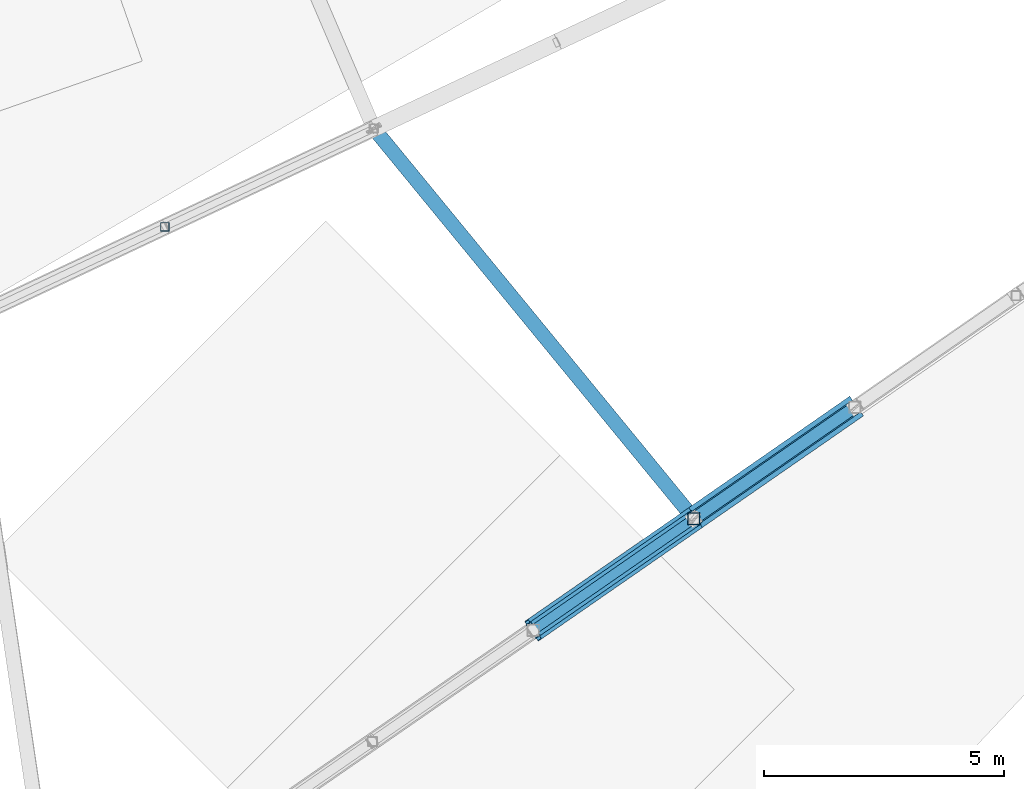
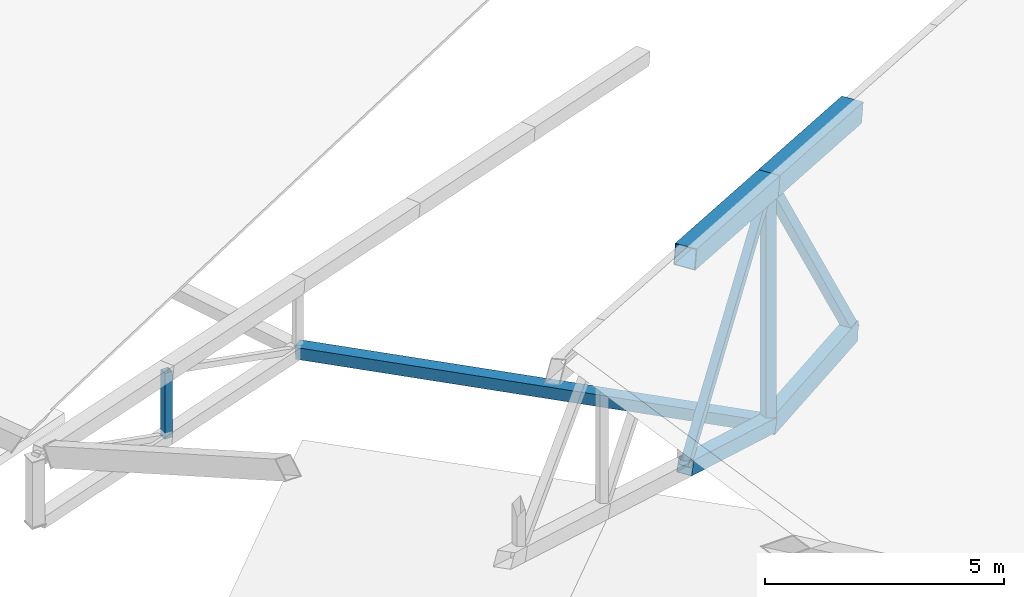
# One storey, part 3 of 188: 9 members.
"""IFC4 building model written with IfcOpenShell, lengths in metres."""

from ifc_helpers import new_model, si_unit, direction, frame, origin, origin_2d, place, context, subcontext, project, spatial, hollow_rectangle, extrude, material, material_profile, profile_set, type_object, element, save


model = new_model("IFC4")

# Units and contexts
model_context = context("Model", 3, precision=1e-05, world=origin(), true_north=direction((0.0, 1.0)))
body_context = subcontext(model_context, "Body", "Model", "MODEL_VIEW")
ifc_project = project(units=[si_unit("LENGTHUNIT", "METRE"), si_unit("AREAUNIT", "SQUARE_METRE"), si_unit("VOLUMEUNIT", "CUBIC_METRE"), si_unit("PLANEANGLEUNIT", "RADIAN"), si_unit("MASSUNIT", "GRAM", prefix="KILO")], contexts=[model_context])

# Site, building, storey
site_placement = place(None, origin())
site = spatial("IfcSite", under=ifc_project, at=site_placement, CompositionType="ELEMENT")
building_placement = place(site_placement, origin())
building = spatial("IfcBuilding", under=site, at=building_placement, Name="Meseta Stadium", CompositionType="ELEMENT")
storey_placement = place(building_placement, frame((0.0, 0.0, 30.0)))
storey = spatial("IfcBuildingStorey", under=building, at=storey_placement, Name="ROOF", CompositionType="ELEMENT", Elevation=30.0)

# Members
ifc_material_1 = material(Name="Steel S355", Category="steel")
ifc_material_profile_1 = material_profile(ifc_material_1, hollow_rectangle(XDim=0.300048828125, YDim=0.5, WallThickness=0.01611328125, at=origin_2d()), Name="RHS 500x300x16")
ifc_profile_set_1 = profile_set([ifc_material_profile_1], Name="Steel S355")
member_type_1 = type_object("IfcMemberType", Name="RHS 500x300x16 bottom chord", PredefinedType="CHORD", material=ifc_profile_set_1)
member_1_placement = place(storey_placement, frame((-68.420166015625, -77.56396484375, 1.31982421875), z_axis=(-0.821162241402, -0.569011716865, 0.043797709594), x_axis=(0.569558253619, -0.821950969179, 0.0)))
element("IfcMember", 1, at=member_1_placement, inside=storey, type_object=member_type_1, Name="ROOF TRUSS RT-40 bottom chord", PredefinedType="CHORD", context=body_context, shape_type="SweptSolid", body=[
    extrude(hollow_rectangle(XDim=0.300048828125, YDim=0.5, WallThickness=0.01611328125, at=origin_2d()), origin(), (0.0, 0.0, 1.0), 4.0859375),
])
ifc_material_2 = material(Name="Steel S355", Category="steel")
ifc_material_profile_2 = material_profile(ifc_material_2, hollow_rectangle(XDim=0.179931640625, YDim=0.179931640625, WallThickness=0.00634765625, at=origin_2d()), Name="SHS 180x180x6.3")
ifc_profile_set_2 = profile_set([ifc_material_profile_2], Name="Steel S355")
member_type_2 = type_object("IfcMemberType", Name="SHS 180x180x6.3 post", PredefinedType="POST", material=ifc_profile_set_2)
member_2_placement = place(storey_placement, frame((-82.798095703125, -73.806396484375, 1.3408203125), z_axis=(0.0, 0.0, 1.0), x_axis=(1.0, 0.0, 0.0)))
element("IfcMember", 2, at=member_2_placement, inside=storey, type_object=member_type_2, Name="ROOF TRUSS RT-39 post", PredefinedType="POST", context=body_context, shape_type="SweptSolid", body=[
    extrude(hollow_rectangle(XDim=0.179931640625, YDim=0.179931640625, WallThickness=0.00634765625, at=origin_2d()), origin(), (0.0, 0.0, 1.0), 1.6796875),
])
ifc_material_3 = material(Name="Steel S355", Category="steel")
ifc_material_profile_3 = material_profile(ifc_material_3, hollow_rectangle(XDim=0.199951171875, YDim=0.199951171875, WallThickness=0.008056640625, at=origin_2d()), Name="SHS 200x200x8")
ifc_profile_set_3 = profile_set([ifc_material_profile_3], Name="Steel S355")
member_type_3 = type_object("IfcMemberType", Name="SHS 200x200x8 diagonal", PredefinedType="BRACE", material=ifc_profile_set_3)
member_3_placement = place(storey_placement, frame((-71.775390625, -79.888916015625, 7.62158203125), z_axis=(-0.542418565459, -0.375897647258, -0.751320875946), x_axis=(0.569596196645, -0.821924675848, 0.0)))
element("IfcMember", 3, at=member_3_placement, inside=storey, type_object=member_type_3, Name="ROOF TRUSS RT-40 diagonal", PredefinedType="BRACE", context=body_context, shape_type="SweptSolid", body=[
    extrude(hollow_rectangle(XDim=0.199951171875, YDim=0.199951171875, WallThickness=0.008056640625, at=origin_2d()), origin(), (0.0, 0.0, 1.0), 6.17529296875),
])
ifc_material_4 = material(Name="Steel S355", Category="steel")
ifc_material_profile_4 = material_profile(ifc_material_4, hollow_rectangle(XDim=0.25, YDim=0.25, WallThickness=0.010009765625, at=origin_2d()), Name="SHS 250x250x10")
ifc_profile_set_4 = profile_set([ifc_material_profile_4], Name="Steel S355")
member_type_4 = type_object("IfcMemberType", Name="SHS 250x250x10 diagonal", PredefinedType="BRACE", material=ifc_profile_set_4)
member_4_placement = place(storey_placement, frame((-68.420166015625, -77.56396484375, 1.31982421875), z_axis=(-0.446866714217, -0.309649401112, 0.839301726506), x_axis=(0.569558253619, -0.821950969179, 0.0)))
element("IfcMember", 4, at=member_4_placement, inside=storey, type_object=member_type_4, Name="ROOF TRUSS RT-40 diagonal", PredefinedType="BRACE", context=body_context, shape_type="SweptSolid", body=[
    extrude(hollow_rectangle(XDim=0.25, YDim=0.25, WallThickness=0.010009765625, at=origin_2d()), origin(), (0.0, 0.0, 1.0), 7.50830078125),
])
ifc_material_5 = material(Name="Steel S355", Category="steel")
ifc_material_profile_5 = material_profile(ifc_material_5, hollow_rectangle(XDim=0.25, YDim=0.25, WallThickness=0.010009765625, at=origin_2d()), Name="SHS 250x250x10")
ifc_profile_set_5 = profile_set([ifc_material_profile_5], Name="Steel S355")
member_type_5 = type_object("IfcMemberType", Name="SHS 250x250x10 post", PredefinedType="POST", material=ifc_profile_set_5)
member_5_placement = place(storey_placement, frame((-71.775390625, -79.888916015625, 1.498779296875), z_axis=(0.0, 0.0, 1.0), x_axis=(1.0, 0.0, 0.0)))
element("IfcMember", 5, at=member_5_placement, inside=storey, type_object=member_type_5, Name="ROOF TRUSS RT-40 post", PredefinedType="POST", context=body_context, shape_type="SweptSolid", body=[
    extrude(hollow_rectangle(XDim=0.25, YDim=0.25, WallThickness=0.010009765625, at=origin_2d()), origin(), (0.0, 0.0, 1.0), 6.122802734375),
])
ifc_material_6 = material(Name="Steel S355", Category="steel")
ifc_material_profile_6 = material_profile(ifc_material_6, hollow_rectangle(XDim=0.300048828125, YDim=0.300048828125, WallThickness=0.010009765625, at=origin_2d()), Name="SHS 300x300x10")
ifc_profile_set_6 = profile_set([ifc_material_profile_6], Name="Steel S355")
member_type_6 = type_object("IfcMemberType", Name="SHS 300x300x10 pivot strut", PredefinedType="STRUT", material=ifc_profile_set_6)
member_6_placement = place(storey_placement, frame((-78.4453125, -71.756103515625, 0.785400390625), z_axis=(0.63268379435, -0.771448117034, 0.067668449747), x_axis=(0.773220443829, 0.634137323649, 0.0)))
element("IfcMember", 6, at=member_6_placement, inside=storey, type_object=member_type_6, Name="ROOF PIVOT STRUT RT-39/40", PredefinedType="STRUT", context=body_context, shape_type="SweptSolid", body=[
    extrude(hollow_rectangle(XDim=0.300048828125, YDim=0.300048828125, WallThickness=0.010009765625, at=origin_2d()), origin(), (0.0, 0.0, 1.0), 10.542236328125),
])
ifc_material_7 = material(Name="Steel S355", Category="steel")
ifc_material_profile_7 = material_profile(ifc_material_7, hollow_rectangle(XDim=0.35009765625, YDim=0.35009765625, WallThickness=0.010009765625, at=origin_2d()), Name="SHS 350x350x10")
ifc_profile_set_7 = profile_set([ifc_material_profile_7], Name="Steel S355")
member_type_7 = type_object("IfcMemberType", Name="SHS 350x350x10 bottom chord", PredefinedType="CHORD", material=ifc_profile_set_7)
member_7_placement = place(storey_placement, frame((-71.775390625, -79.888916015625, 1.498779296875), z_axis=(-0.772365222596, -0.535251351053, 0.34199116088), x_axis=(0.569596196645, -0.821924675848, 0.0)))
element("IfcMember", 7, at=member_7_placement, inside=storey, type_object=member_type_7, Name="ROOF TRUSS RT-40 bottom chord", PredefinedType="CHORD", context=body_context, shape_type="SweptSolid", body=[
    extrude(hollow_rectangle(XDim=0.35009765625, YDim=0.35009765625, WallThickness=0.010009765625, at=origin_2d()), origin(), (0.0, 0.0, 1.0), 4.3369140625),
])
ifc_material_8 = material(Name="Steel S355", Category="steel")
ifc_material_profile_8 = material_profile(ifc_material_8, hollow_rectangle(XDim=0.5, YDim=0.5, WallThickness=0.01611328125, at=origin_2d()), Name="SHS 500x500x16")
ifc_profile_set_8 = profile_set([ifc_material_profile_8], Name="Steel S355")
member_type_8 = type_object("IfcMemberType", Name="SHS 500x500x16 top chord", PredefinedType="CHORD", material=ifc_profile_set_8)
member_8_placement = place(storey_placement, frame((-68.420166015625, -77.56396484375, 6.91796875), z_axis=(-0.810006015641, -0.561281182198, 0.169863736963), x_axis=(0.569558253619, -0.821950969179, 0.0)))
element("IfcMember", 8, at=member_8_placement, inside=storey, type_object=member_type_8, Name="ROOF TRUSS RT-40 top chord", PredefinedType="CHORD", context=body_context, shape_type="SweptSolid", body=[
    extrude(hollow_rectangle(XDim=0.5, YDim=0.5, WallThickness=0.01611328125, at=origin_2d()), origin(), (0.0, 0.0, 1.0), 4.142333984375),
])
member_9_placement = place(storey_placement, frame((-71.775390625, -79.888916015625, 7.62158203125), z_axis=(-0.80997416436, -0.561314457342, 0.169905659259), x_axis=(0.569596196645, -0.821924675848, 0.0)))
element("IfcMember", 9, at=member_9_placement, inside=storey, type_object=member_type_8, Name="ROOF TRUSS RT-40 top chord", PredefinedType="CHORD", context=body_context, shape_type="SweptSolid", body=[
    extrude(hollow_rectangle(XDim=0.5, YDim=0.5, WallThickness=0.01611328125, at=origin_2d()), origin(), (0.0, 0.0, 1.0), 4.135498046875),
])

save(model, "model.ifc")
